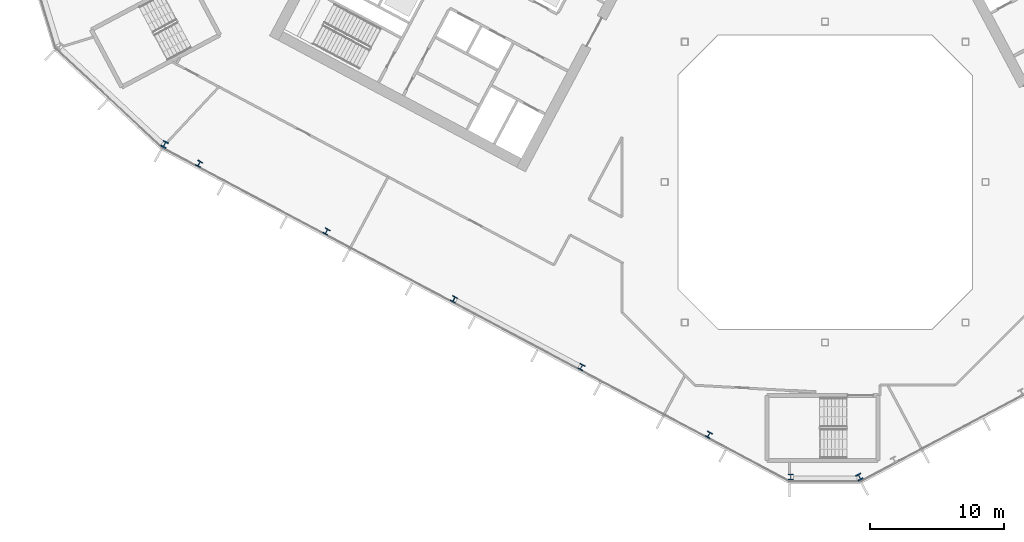
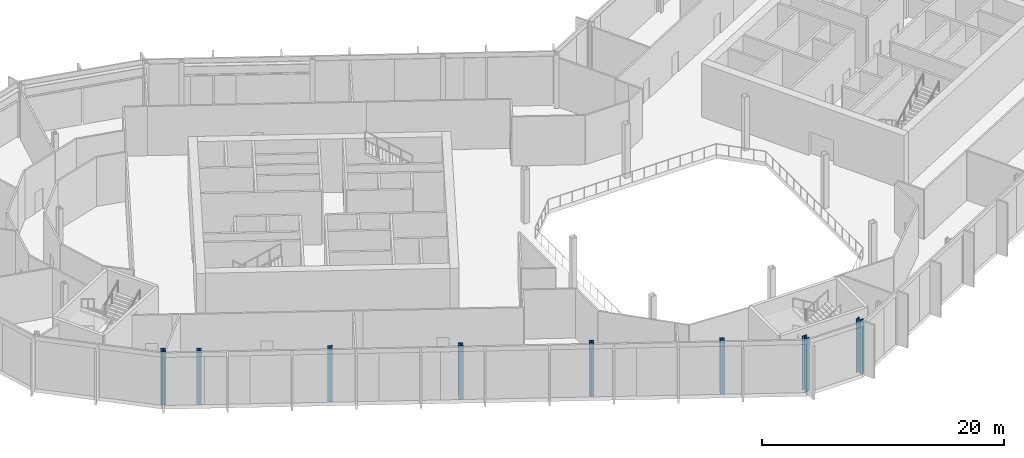
# One storey, part 1 of 31: 8 columns.
"""IFC4 building model written with IfcOpenShell, lengths in metres."""

from ifc_helpers import new_model, si_unit, direction, frame, origin, origin_2d, place, context, subcontext, project, spatial, i_section, extrude, material, material_profile, profile_set, type_object, element, save


model = new_model("IFC4")

# Units and contexts
model_context = context("Model", 3, precision=1e-05, world=origin(), true_north=direction((0.0, 1.0)))
body_context = subcontext(model_context, "Body", "Model", "MODEL_VIEW")
ifc_project = project(units=[si_unit("LENGTHUNIT", "METRE"), si_unit("AREAUNIT", "SQUARE_METRE"), si_unit("VOLUMEUNIT", "CUBIC_METRE"), si_unit("PLANEANGLEUNIT", "RADIAN"), si_unit("MASSUNIT", "GRAM", prefix="KILO")], contexts=[model_context])

# Site, building, storey
site_placement = place(None, origin())
site = spatial("IfcSite", under=ifc_project, at=site_placement, CompositionType="ELEMENT")
building_placement = place(site_placement, origin())
building = spatial("IfcBuilding", under=site, at=building_placement, Name="Cormorant Relay Tower", CompositionType="ELEMENT")
storey_placement = place(building_placement, frame((0.0, 0.0, 178.199951171875)))
storey = spatial("IfcBuildingStorey", under=building, at=storey_placement, Name="L38", CompositionType="ELEMENT", Elevation=178.199951171875)

# Columns
ifc_material_1 = material(Name="Steel ASTM A992 (Fy 345 MPa)", Category="steel")
ifc_material_profile_1 = material_profile(ifc_material_1, i_section(OverallWidth=0.41162109375, OverallDepth=0.434326171875, WebThickness=0.035888671875, FlangeThickness=0.057373046875, FilletRadius=0.01513671875, at=origin_2d()), Name="W360x463")
ifc_profile_set_1 = profile_set([ifc_material_profile_1], Name="Steel ASTM A992 (Fy 345 MPa)")
column_type_1 = type_object("IfcColumnType", Name="Column W360x463", PredefinedType="COLUMN", material=ifc_profile_set_1)
for number, where, z_axis, x_axis, name in (
    (1, (-8.696044921875, -18.910888671875, 0.0), (0.0, 0.0, 1.0), (0.882947592859, -0.469471562786, 0.0), "Column L38-004"),
    (2, (-18.23193359375, -13.841064453125, 0.0), (0.0, 0.0, 1.0), (0.882947592859, -0.469471562786, 0.0), "Column L38-006"),
    (3, (-27.76806640625, -8.77001953125, 0.0), (0.0, 0.0, 1.0), (0.882947592859, -0.469471562786, 0.0), "Column L38-011"),
    (4, (-37.303955078125, -3.699951171875, 0.0), (0.0, 0.0, 1.0), (0.882947592859, -0.469471562786, 0.0), "Column L38-013"),
    (5, (-46.839111328125, 1.3701171875, 0.0), (0.0, 0.0, 1.0), (0.882947592859, -0.469471562786, 0.0), "Column L38-018"),
):
    element("IfcColumn", number, at=place(storey_placement, frame(where, z_axis=z_axis, x_axis=x_axis)), inside=storey, type_object=column_type_1, Name=name, PredefinedType="COLUMN", context=body_context, shape_type="SweptSolid", body=[
        extrude(i_section(OverallWidth=0.41162109375, OverallDepth=0.434326171875, WebThickness=0.035888671875, FlangeThickness=0.057373046875, FilletRadius=0.01513671875, at=origin_2d()), origin(), (0.0, 0.0, 1.0), 5.400146484375),
    ])
ifc_material_2 = material(Name="Steel ASTM A992 (Fy 345 MPa)", Category="steel")
ifc_material_profile_2 = material_profile(ifc_material_2, i_section(OverallWidth=0.42431640625, OverallDepth=0.47509765625, WebThickness=0.0478515625, FlangeThickness=0.0771484375, FilletRadius=0.014892578125, at=origin_2d()), Name="W360x634")
ifc_profile_set_2 = profile_set([ifc_material_profile_2], Name="Steel ASTM A992 (Fy 345 MPa)")
column_type_2 = type_object("IfcColumnType", Name="Column W360x634", PredefinedType="COLUMN", material=ifc_profile_set_2)
for number, where, z_axis, x_axis, name in (
    (6, (-2.571044921875, -22.06494140625, 0.0), (0.0, 0.0, 1.0), (1.0, 0.0, 0.0), "Column L38-001"),
    (7, (2.571044921875, -22.06494140625, 0.0), (0.0, 0.0, 1.0), (0.882947592859, 0.469471562786, 0.0), "Column L38-002"),
    (8, (-49.423095703125, 2.820068359375, 0.0), (0.0, 0.0, 1.0), (0.882947592859, -0.469471562786, 0.0), "Column L38-019"),
):
    element("IfcColumn", number, at=place(storey_placement, frame(where, z_axis=z_axis, x_axis=x_axis)), inside=storey, type_object=column_type_2, Name=name, PredefinedType="COLUMN", context=body_context, shape_type="SweptSolid", body=[
        extrude(i_section(OverallWidth=0.42431640625, OverallDepth=0.47509765625, WebThickness=0.0478515625, FlangeThickness=0.0771484375, FilletRadius=0.014892578125, at=origin_2d()), origin(), (0.0, 0.0, 1.0), 5.400146484375),
    ])

save(model, "model.ifc")
